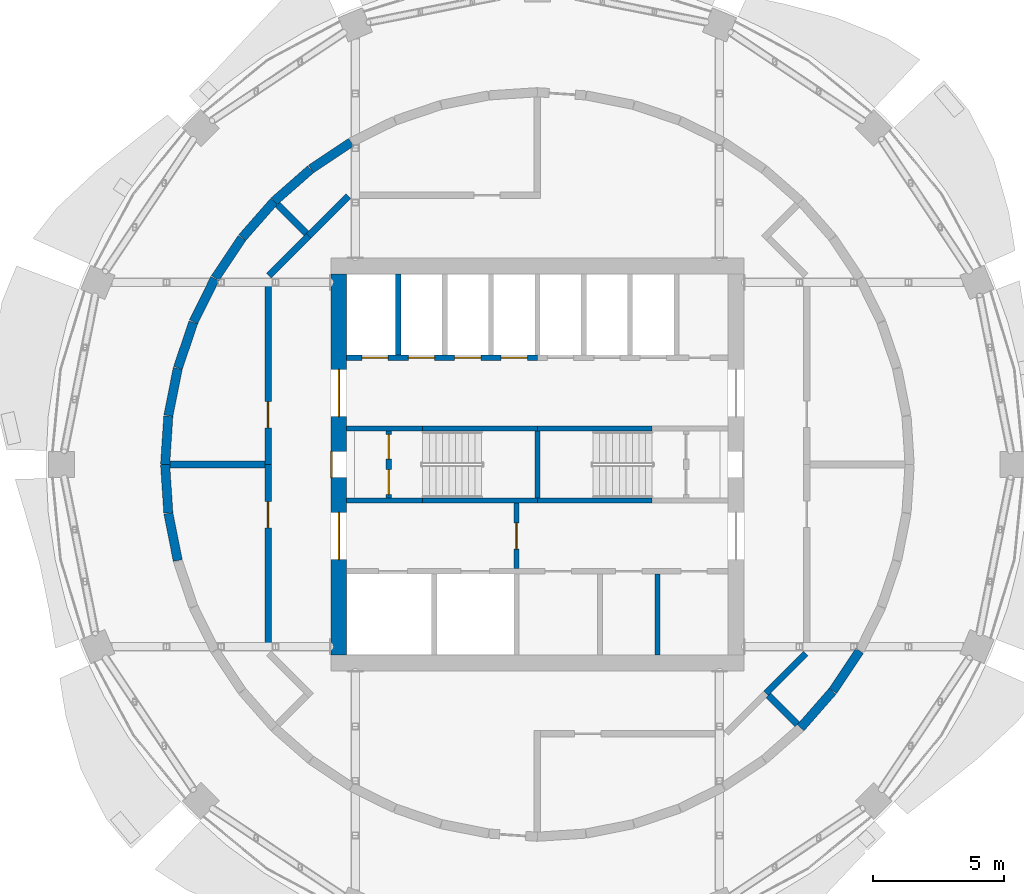
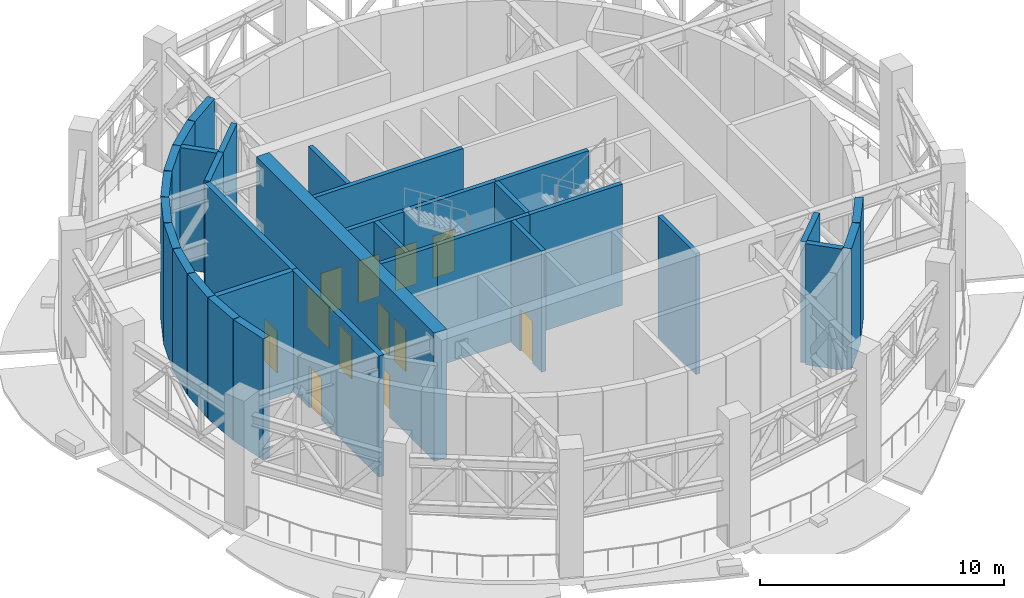
# One storey, part 8 of 14: 33 walls, 12 doors, 12 openings.
"""IFC4 building model written with IfcOpenShell, lengths in metres."""

import ifcopenshell
import ifcopenshell.guid

model = None  # the IFC model being written
_history = None  # IfcOwnerHistory: only IFC2X3 demands one
_inside = {}  # id of a spatial element -> (the spatial element, [elements in it])
_under = {}  # id of a project, library or spatial element -> (it, [spatial elements below it])
_declared = {}  # id of a project -> (the project, [libraries it declares])
_typed = {}  # id of a type object -> (the type object, [elements of that type])
_made_of = {}  # id of a material, layer set ... -> (it, [elements and type objects made of it])


def new_model(schema):
    """Start an empty IFC model of exactly this schema.

    Asked for "IFC4X3", IfcOpenShell would pick the latest addendum, in which some entities
    have other attributes; the version numbers below select the first issue.
    IFC2X3 requires an IfcOwnerHistory on every rooted entity: one is made here for all.
    """
    global model, _history
    if schema == "IFC4X3":
        model = ifcopenshell.file(schema_version=(4, 3, 0, 0))
    else:
        model = ifcopenshell.file(schema=schema)
    _inside.clear()
    _under.clear()
    _declared.clear()
    _typed.clear()
    _made_of.clear()
    _history = None
    if model.schema == "IFC2X3":
        org = make("IfcOrganization", Name="unknown")
        user = make(
            "IfcPersonAndOrganization",
            ThePerson=make("IfcPerson", FamilyName="unknown"),
            TheOrganization=org,
        )
        app = make(
            "IfcApplication",
            ApplicationDeveloper=org,
            Version="unknown",
            ApplicationFullName="unknown",
            ApplicationIdentifier="unknown",
        )
        _history = make(
            "IfcOwnerHistory",
            OwningUser=user,
            OwningApplication=app,
            ChangeAction="ADDED",
            CreationDate=0,
        )
    return model


def make(cls, **values):
    """One entity of the class cls with the attributes given. An attribute that is None is left unset."""
    return model.create_entity(
        cls, **{name: value for name, value in values.items() if value is not None}
    )


def rooted(cls, **values):
    """An entity with a GlobalId (a new one), such as an element, a storey or a relation."""
    return make(cls, GlobalId=ifcopenshell.guid.new(), OwnerHistory=_history, **values)


def si_unit(unit_type, name, prefix=None):
    """IfcSIUnit, for example si_unit("LENGTHUNIT", "METRE", prefix="MILLI")."""
    return make("IfcSIUnit", UnitType=unit_type, Prefix=prefix, Name=name)


def assignment(units):
    """IfcUnitAssignment: the units of a project."""
    return None if units is None else make("IfcUnitAssignment", Units=units)


def point(xyz):
    """IfcCartesianPoint."""
    return None if xyz is None else make("IfcCartesianPoint", Coordinates=xyz)


def direction(xyz):
    """IfcDirection."""
    return None if xyz is None else make("IfcDirection", DirectionRatios=xyz)


def frame(location, z_axis=None, x_axis=None):
    """IfcAxis2Placement3D, a coordinate frame: its origin and axes. An axis left out is left unset."""
    return make(
        "IfcAxis2Placement3D",
        Location=point(location),
        Axis=direction(z_axis),
        RefDirection=direction(x_axis),
    )


def frame_2d(location, x_axis=None):
    """IfcAxis2Placement2D, a coordinate frame in the plane: its origin and x axis."""
    return make(
        "IfcAxis2Placement2D", Location=point(location), RefDirection=direction(x_axis)
    )


def origin():
    """The frame at (0, 0, 0) with its axes left unset."""
    return frame((0.0, 0.0, 0.0))


def place(relative_to, where):
    """IfcLocalPlacement: puts the frame where relative to a parent placement (None: the world)."""
    return make(
        "IfcLocalPlacement", PlacementRelTo=relative_to, RelativePlacement=where
    )


def context(
    kind, dimensions, precision=None, world=None, true_north=None, identifier=None
):
    """IfcGeometricRepresentationContext, for example the 3D "Model" context."""
    return make(
        "IfcGeometricRepresentationContext",
        ContextIdentifier=identifier,
        ContextType=kind,
        CoordinateSpaceDimension=dimensions,
        Precision=precision,
        WorldCoordinateSystem=world,
        TrueNorth=true_north,
    )


def subcontext(parent, identifier, kind, view, scale=None):
    """IfcGeometricRepresentationSubContext, for example "Body" below "Model"."""
    return make(
        "IfcGeometricRepresentationSubContext",
        ContextIdentifier=identifier,
        ContextType=kind,
        ParentContext=parent,
        TargetScale=scale,
        TargetView=view,
    )


def project(units=None, contexts=None):
    """IfcProject with its units and contexts."""
    return rooted(
        "IfcProject",
        Name="project",
        RepresentationContexts=contexts,
        UnitsInContext=assignment(units),
    )


def spatial(cls, under=None, at=None, **own):
    """A site, building, storey or space (cls), placed at a placement, below another one or the project."""
    s = rooted(cls, ObjectPlacement=at, **own)
    if under is not None:
        _under.setdefault(under.id(), (under, []))[1].append(s)
    return s


def profile(cls, at=None, kind="AREA", **sizes):
    """A parametric profile (cls). Its sizes go by their IFC names, for example OverallWidth=200.0."""
    return make(cls, ProfileType=kind, Position=at, **sizes)


def rectangle(**sizes):
    """IfcRectangleProfileDef."""
    return profile("IfcRectangleProfileDef", **sizes)


def extrude(swept, where, along, depth):
    """IfcExtrudedAreaSolid: the profile swept, set in the frame where, extruded along a direction by depth."""
    return make(
        "IfcExtrudedAreaSolid",
        SweptArea=swept,
        Position=where,
        ExtrudedDirection=direction(along),
        Depth=depth,
    )


def shape(context_of_items, identifier, shape_type, items):
    """IfcShapeRepresentation: the items that make up one representation, for example the "Body"."""
    return make(
        "IfcShapeRepresentation",
        ContextOfItems=context_of_items,
        RepresentationIdentifier=identifier,
        RepresentationType=shape_type,
        Items=items,
    )


def material(Name=None, Category=None):
    """IfcMaterial."""
    return make("IfcMaterial", Name=Name, Category=Category)


def layer(
    of_material, thickness, ventilated=None, Name=None, Category=None, Priority=None
):
    """IfcMaterialLayer: one layer of a wall or slab, of a material (None: an air gap)."""
    return make(
        "IfcMaterialLayer",
        Material=of_material,
        LayerThickness=thickness,
        IsVentilated=ventilated,
        Name=Name,
        Category=Category,
        Priority=Priority,
    )


def layer_set(layers, Name=None):
    """IfcMaterialLayerSet."""
    return make("IfcMaterialLayerSet", MaterialLayers=layers, LayerSetName=Name)


def made_of(thing, what):
    """Note that an element or type object is made of a material, layer set ...; save() writes the relation."""
    if what is not None:
        _made_of.setdefault(what.id(), (what, []))[1].append(thing)
    return thing


def type_object(cls, material=None, **own):
    """A type object (cls), such as IfcWallType, which elements share."""
    return made_of(rooted(cls, **own), material)


def element(
    cls,
    number,
    at=None,
    inside=None,
    cuts=None,
    type_object=None,
    material=None,
    context=None,
    identifier="Body",
    shape_type=None,
    held_by="IfcProductDefinitionShape",
    body=None,
    shapes=None,
    **own,
):
    """One element of the class cls, such as IfcWall. Its Tag is "e" and its number.

    at: its placement. inside: the storey or other place that contains it. cuts: it is an
    opening in that element (IfcRelVoidsElement). A single representation is given by context,
    identifier, shape_type and body (its items); several are given by shapes. held_by: the class
    of the entity that holds the representations. save() writes the other relations.
    """
    e = rooted(cls, Tag="e%d" % number, ObjectPlacement=at, **own)
    if body is not None:
        shapes = [shape(context, identifier, shape_type, body)]
    if shapes is not None:
        e.Representation = make(held_by, Representations=shapes)
    if inside is not None:
        _inside.setdefault(inside.id(), (inside, []))[1].append(e)
    if cuts is not None:
        rooted(
            "IfcRelVoidsElement", RelatingBuildingElement=cuts, RelatedOpeningElement=e
        )
    if type_object is not None:
        _typed.setdefault(type_object.id(), (type_object, []))[1].append(e)
    return made_of(e, material)


def fill(opening, filler):
    """IfcRelFillsElement: the door or window that sits in an opening."""
    return rooted(
        "IfcRelFillsElement",
        RelatingOpeningElement=opening,
        RelatedBuildingElement=filler,
    )


def aggregate(whole, parts):
    """IfcRelAggregates: a whole, such as a stair, and the parts it consists of."""
    return rooted("IfcRelAggregates", RelatingObject=whole, RelatedObjects=parts)


def save(model, path):
    """Write the relations noted so far, then the file.

    IfcRelAggregates (storeys below a building ...), IfcRelContainedInSpatialStructure (elements
    in a storey), IfcRelDefinesByType, IfcRelAssociatesMaterial and IfcRelDeclares: one each for
    every whole, place, type object, material and project.
    """
    for whole, parts in _under.values():
        aggregate(whole, parts)
    for where, things in _inside.values():
        rooted(
            "IfcRelContainedInSpatialStructure",
            RelatedElements=things,
            RelatingStructure=where,
        )
    for kind, things in _typed.values():
        rooted("IfcRelDefinesByType", RelatedObjects=things, RelatingType=kind)
    for what, things in _made_of.values():
        rooted("IfcRelAssociatesMaterial", RelatedObjects=things, RelatingMaterial=what)
    for by, libraries in _declared.values():
        rooted("IfcRelDeclares", RelatingContext=by, RelatedDefinitions=libraries)
    model.write(path)


model = new_model("IFC4")

# Units and contexts
model_context = context("Model", 3, precision=1e-05, world=origin(), true_north=direction((0.0, 1.0)))
body_context = subcontext(model_context, "Body", "Model", "MODEL_VIEW")
ifc_project = project(units=[si_unit("LENGTHUNIT", "METRE"), si_unit("AREAUNIT", "SQUARE_METRE"), si_unit("VOLUMEUNIT", "CUBIC_METRE"), si_unit("PLANEANGLEUNIT", "RADIAN"), si_unit("MASSUNIT", "GRAM", prefix="KILO")], contexts=[model_context])

# Site, building, storey
site_placement = place(None, origin())
site = spatial("IfcSite", under=ifc_project, at=site_placement, CompositionType="ELEMENT")
building_placement = place(site_placement, origin())
building = spatial("IfcBuilding", under=site, at=building_placement, Name="Polderwave Tower", CompositionType="ELEMENT")
storey_placement = place(building_placement, frame((0.0, 0.0, 161.14990234375)))
storey = spatial("IfcBuildingStorey", under=building, at=storey_placement, Name="L43", CompositionType="ELEMENT", Elevation=161.14990234375)

# Wall, openings, doors
ifc_material_1 = material(Name="Concrete C60/75", Category="concrete")
ifc_layer_1 = layer(ifc_material_1, 0.60009765625)
ifc_layer_set_1 = layer_set([ifc_layer_1], Name="CORE WALL 600 C60/75")
wall_type_1 = type_object("IfcWallType", Name="CORE WALL 600 C60/75", PredefinedType="SHEAR", material=ifc_layer_set_1)
wall_1_placement = place(storey_placement, frame((-7.573974609375, -7.27392578125, 0.0), z_axis=(0.0, 0.0, 1.0), x_axis=(0.0, 1.0, 0.0)))
wall_1 = element("IfcWall", 1, at=wall_1_placement, inside=storey, type_object=wall_type_1, Name="ST-CORE-L43-W", PredefinedType="SHEAR", context=body_context, shape_type="SweptSolid", body=[
    extrude(rectangle(XDim=14.5478515625, YDim=0.60009765625, at=frame_2d((7.27392578125, 0.0))), origin(), (0.0, 0.0, 1.0), 6.400146484375),
])
opening_1_placement = place(wall_1_placement, frame((6.77392578125, 0.0, 0.0)))
opening_1 = element("IfcOpeningElement", 2, at=opening_1_placement, cuts=wall_1, Name="Opening L43-D19", PredefinedType="OPENING", context=body_context, shape_type="SweptSolid", body=[
    extrude(rectangle(XDim=1.0, YDim=2.10009765625, at=frame_2d((0.5, 1.050048828125))), frame((0.0, 0.31005859375, 0.0), z_axis=(0.0, -1.0, 0.0), x_axis=(1.0, 0.0, 0.0)), (0.0, 0.0, 1.0), 0.6201171875),
])
opening_2_placement = place(wall_1_placement, frame((3.6494140625, 0.0, 0.0)))
opening_2 = element("IfcOpeningElement", 3, at=opening_2_placement, cuts=wall_1, Name="Opening L43-D20", PredefinedType="OPENING", context=body_context, shape_type="SweptSolid", body=[
    extrude(rectangle(XDim=1.800048828125, YDim=2.10009765625, at=frame_2d((0.89990234375, 1.050048828125))), frame((0.0, 0.31005859375, 0.0), z_axis=(0.0, -1.0, 0.0), x_axis=(1.0, 0.0, 0.0)), (0.0, 0.0, 1.0), 0.6201171875),
])
opening_3_placement = place(wall_1_placement, frame((9.098388671875, 0.0, 0.0)))
opening_3 = element("IfcOpeningElement", 4, at=opening_3_placement, cuts=wall_1, Name="Opening L43-D21", PredefinedType="OPENING", context=body_context, shape_type="SweptSolid", body=[
    extrude(rectangle(XDim=1.800048828125, YDim=2.10009765625, at=frame_2d((0.89990234375, 1.050048828125))), frame((0.0, 0.31005859375, 0.0), z_axis=(0.0, -1.0, 0.0), x_axis=(1.0, 0.0, 0.0)), (0.0, 0.0, 1.0), 0.6201171875),
])
ifc_material_2 = material(Name="Steel fire door", Category="steel")
door_type_1 = type_object("IfcDoorType", Name="Lobby entry door pair 1800", OperationType="DOUBLE_DOOR_SINGLE_SWING", PredefinedType="DOOR", material=ifc_material_2)
door_1_placement = place(opening_2_placement, origin())
door_1 = element("IfcDoor", 5, at=door_1_placement, inside=storey, type_object=door_type_1, Name="Fire-fighting lobby entry door", OperationType="DOUBLE_DOOR_SINGLE_SWING", OverallHeight=2.10009765625, OverallWidth=1.800048828125, PredefinedType="DOOR", context=body_context, shape_type="SweptSolid", body=[
    extrude(rectangle(XDim=1.800048828125, YDim=2.10009765625, at=frame_2d((0.89990234375, 1.050048828125))), frame((0.0, 0.02490234375, 0.0), z_axis=(0.0, -1.0, 0.0), x_axis=(1.0, 0.0, 0.0)), (0.0, 0.0, 1.0), 0.050048828125),
])
fill(opening_2, door_1)
door_2_placement = place(opening_3_placement, origin())
door_2 = element("IfcDoor", 6, at=door_2_placement, inside=storey, type_object=door_type_1, Name="North lobby entry door", OperationType="DOUBLE_DOOR_SINGLE_SWING", OverallHeight=2.10009765625, OverallWidth=1.800048828125, PredefinedType="DOOR", context=body_context, shape_type="SweptSolid", body=[
    extrude(rectangle(XDim=1.800048828125, YDim=2.10009765625, at=frame_2d((0.89990234375, 1.050048828125))), frame((0.0, 0.02490234375, 0.0), z_axis=(0.0, -1.0, 0.0), x_axis=(1.0, 0.0, 0.0)), (0.0, 0.0, 1.0), 0.050048828125),
])
fill(opening_3, door_2)
door_type_2 = type_object("IfcDoorType", Name="Stair door 1000", OperationType="NOTDEFINED", PredefinedType="DOOR", material=ifc_material_2)
door_3_placement = place(opening_1_placement, origin())
door_3 = element("IfcDoor", 7, at=door_3_placement, inside=storey, type_object=door_type_2, Name="Stair A entry door", OperationType="SINGLE_SWING_RIGHT", OverallHeight=2.10009765625, OverallWidth=1.0, PredefinedType="DOOR", context=body_context, shape_type="SweptSolid", body=[
    extrude(rectangle(XDim=1.0, YDim=2.10009765625, at=frame_2d((0.5, 1.050048828125))), frame((0.0, 0.2998046875, 0.0), z_axis=(0.0, -1.0, 0.0), x_axis=(1.0, 0.0, 0.0)), (0.0, 0.0, 1.0), 0.050048828125),
])
fill(opening_1, door_3)

# Wall, opening, door
ifc_material_3 = material(Name="Gypsum board partition")
ifc_layer_2 = layer(ifc_material_3, 0.199951171875)
ifc_layer_set_2 = layer_set([ifc_layer_2], Name="Core room partition 200")
wall_type_2 = type_object("IfcWallType", Name="Core room partition 200", PredefinedType="PARTITIONING", material=ifc_layer_set_2)
wall_2_placement = place(storey_placement, frame((-0.800048828125, -3.97412109375, 0.0), z_axis=(0.0, 0.0, 1.0), x_axis=(0.0, 1.0, 0.0)))
wall_2 = element("IfcWall", 8, at=wall_2_placement, inside=storey, type_object=wall_type_2, Name="L43 fire-fighting lobby wall", PredefinedType="PARTITIONING", context=body_context, shape_type="SweptSolid", body=[
    extrude(rectangle(XDim=2.4990234375, YDim=0.199951171875, at=frame_2d((1.24951171875, 0.0))), origin(), (0.0, 0.0, 1.0), 6.050048828125),
])
opening_4_placement = place(wall_2_placement, frame((0.74951171875, 0.0, 0.0)))
opening_4 = element("IfcOpeningElement", 9, at=opening_4_placement, cuts=wall_2, Name="Opening L43-D14", PredefinedType="OPENING", context=body_context, shape_type="SweptSolid", body=[
    extrude(rectangle(XDim=1.0, YDim=2.10009765625, at=frame_2d((0.5, 1.050048828125))), frame((0.0, 0.10986328125, 0.0), z_axis=(0.0, -1.0, 0.0), x_axis=(1.0, 0.0, 0.0)), (0.0, 0.0, 1.0), 0.219970703125),
])
door_type_3 = type_object("IfcDoorType", Name="Lobby fire door 1000", OperationType="NOTDEFINED", PredefinedType="DOOR", material=ifc_material_2)
door_4_placement = place(opening_4_placement, frame((1.0, 0.0, 0.0), z_axis=(0.0, 0.0, 1.0), x_axis=(-1.0, 0.0, 0.0)))
door_4 = element("IfcDoor", 10, at=door_4_placement, inside=storey, type_object=door_type_3, Name="Fire-fighting lobby door", OperationType="SINGLE_SWING_LEFT", OverallHeight=2.10009765625, OverallWidth=1.0, PredefinedType="DOOR", context=body_context, shape_type="SweptSolid", body=[
    extrude(rectangle(XDim=1.0, YDim=2.10009765625, at=frame_2d((0.5, 1.050048828125))), frame((0.0, 0.02490234375, 0.0), z_axis=(0.0, -1.0, 0.0), x_axis=(1.0, 0.0, 0.0)), (0.0, 0.0, 1.0), 0.050048828125),
])
fill(opening_4, door_4)

# Wall
wall_3_placement = place(storey_placement, frame((4.5830078125, -7.27392578125, 0.0), z_axis=(0.0, 0.0, 1.0), x_axis=(0.0, 1.0, 0.0)))
element("IfcWall", 11, at=wall_3_placement, inside=storey, type_object=wall_type_2, Name="L43 room partition S2", PredefinedType="PARTITIONING", context=body_context, shape_type="SweptSolid", body=[
    extrude(rectangle(XDim=3.099853515625, YDim=0.199951171875, at=frame_2d((1.5498046875, 0.0))), origin(), (0.0, 0.0, 1.0), 6.050048828125),
])

# Wall, openings, doors
wall_4_placement = place(storey_placement, frame((-5.674072265625, -1.27490234375, 0.0), z_axis=(0.0, 0.0, 1.0), x_axis=(0.0, 1.0, 0.0)))
wall_4 = element("IfcWall", 12, at=wall_4_placement, inside=storey, type_object=wall_type_2, Name="L43 smoke lobby wall A", PredefinedType="PARTITIONING", context=body_context, shape_type="SweptSolid", body=[
    extrude(rectangle(XDim=2.5498046875, YDim=0.199951171875, at=frame_2d((1.27490234375, 0.0))), origin(), (0.0, 0.0, 1.0), 6.050048828125),
])
opening_5_placement = place(wall_4_placement, frame((0.125, 0.0, 0.0)))
opening_5 = element("IfcOpeningElement", 13, at=opening_5_placement, cuts=wall_4, Name="Opening L43-D10", PredefinedType="OPENING", context=body_context, shape_type="SweptSolid", body=[
    extrude(rectangle(XDim=0.949951171875, YDim=2.10009765625, at=frame_2d((0.47509765625, 1.050048828125))), frame((0.0, 0.10986328125, 0.0), z_axis=(0.0, -1.0, 0.0), x_axis=(1.0, 0.0, 0.0)), (0.0, 0.0, 1.0), 0.219970703125),
])
opening_6_placement = place(wall_4_placement, frame((1.47509765625, 0.0, 0.0)))
opening_6 = element("IfcOpeningElement", 14, at=opening_6_placement, cuts=wall_4, Name="Opening L43-D11", PredefinedType="OPENING", context=body_context, shape_type="SweptSolid", body=[
    extrude(rectangle(XDim=0.949951171875, YDim=2.10009765625, at=frame_2d((0.47509765625, 1.050048828125))), frame((0.0, 0.10986328125, 0.0), z_axis=(0.0, -1.0, 0.0), x_axis=(1.0, 0.0, 0.0)), (0.0, 0.0, 1.0), 0.219970703125),
])
door_type_4 = type_object("IfcDoorType", Name="Smoke lobby door 950", OperationType="NOTDEFINED", PredefinedType="DOOR", material=ifc_material_2)
door_5_placement = place(opening_5_placement, origin())
door_5 = element("IfcDoor", 15, at=door_5_placement, inside=storey, type_object=door_type_4, Name="Stair A smoke lobby inner door", OperationType="SINGLE_SWING_LEFT", OverallHeight=2.10009765625, OverallWidth=0.949951171875, PredefinedType="DOOR", context=body_context, shape_type="SweptSolid", body=[
    extrude(rectangle(XDim=0.949951171875, YDim=2.10009765625, at=frame_2d((0.47509765625, 1.050048828125))), frame((0.0, 0.02490234375, 0.0), z_axis=(0.0, -1.0, 0.0), x_axis=(1.0, 0.0, 0.0)), (0.0, 0.0, 1.0), 0.050048828125),
])
fill(opening_5, door_5)
door_6_placement = place(opening_6_placement, origin())
door_6 = element("IfcDoor", 16, at=door_6_placement, inside=storey, type_object=door_type_4, Name="Stair A smoke lobby inner door", OperationType="SINGLE_SWING_RIGHT", OverallHeight=2.10009765625, OverallWidth=0.949951171875, PredefinedType="DOOR", context=body_context, shape_type="SweptSolid", body=[
    extrude(rectangle(XDim=0.949951171875, YDim=2.10009765625, at=frame_2d((0.47509765625, 1.050048828125))), frame((0.0, 0.02490234375, 0.0), z_axis=(0.0, -1.0, 0.0), x_axis=(1.0, 0.0, 0.0)), (0.0, 0.0, 1.0), 0.050048828125),
])
fill(opening_6, door_6)

ifc_material_4 = material(Name="Concrete C50/60", Category="concrete")
ifc_layer_3 = layer(ifc_material_4, 0.199951171875)
ifc_layer_set_3 = layer_set([ifc_layer_3], Name="Core web wall 200")
wall_type_3 = type_object("IfcWallType", Name="Core web wall 200", PredefinedType="SHEAR", material=ifc_layer_set_3)
wall_5_placement = place(storey_placement, frame((-7.27392578125, 4.073974609375, 0.0), z_axis=(0.0, 0.0, 1.0), x_axis=(1.0, 0.0, 0.0)))
wall_5 = element("IfcWall", 17, at=wall_5_placement, inside=storey, type_object=wall_type_3, Name="L43 north front wall 1", PredefinedType="SHEAR", context=body_context, shape_type="SweptSolid", body=[
    extrude(rectangle(XDim=7.27392578125, YDim=0.199951171875, at=frame_2d((3.636962890625, 0.0))), origin(), (0.0, 0.0, 1.0), 6.050048828125),
])
opening_7_placement = place(wall_5_placement, frame((0.584228515625, 0.0, 0.0)))
opening_7 = element("IfcOpeningElement", 18, at=opening_7_placement, cuts=wall_5, Name="Opening L43-D03", PredefinedType="OPENING", context=body_context, shape_type="SweptSolid", body=[
    extrude(rectangle(XDim=1.0, YDim=2.10009765625, at=frame_2d((0.5, 1.050048828125))), frame((0.0, 0.10986328125, 0.0), z_axis=(0.0, -1.0, 0.0), x_axis=(1.0, 0.0, 0.0)), (0.0, 0.0, 1.0), 0.219970703125),
])
opening_8_placement = place(wall_5_placement, frame((2.352783203125, 0.0, 0.0)))
opening_8 = element("IfcOpeningElement", 19, at=opening_8_placement, cuts=wall_5, Name="Opening L43-D04", PredefinedType="OPENING", context=body_context, shape_type="SweptSolid", body=[
    extrude(rectangle(XDim=1.0, YDim=2.10009765625, at=frame_2d((0.5, 1.050048828125))), frame((0.0, 0.10986328125, 0.0), z_axis=(0.0, -1.0, 0.0), x_axis=(1.0, 0.0, 0.0)), (0.0, 0.0, 1.0), 0.219970703125),
])
opening_9_placement = place(wall_5_placement, frame((4.12109375, 0.0, 0.0)))
opening_9 = element("IfcOpeningElement", 20, at=opening_9_placement, cuts=wall_5, Name="Opening L43-D05", PredefinedType="OPENING", context=body_context, shape_type="SweptSolid", body=[
    extrude(rectangle(XDim=1.0, YDim=2.10009765625, at=frame_2d((0.5, 1.050048828125))), frame((0.0, 0.10986328125, 0.0), z_axis=(0.0, -1.0, 0.0), x_axis=(1.0, 0.0, 0.0)), (0.0, 0.0, 1.0), 0.219970703125),
])
opening_10_placement = place(wall_5_placement, frame((5.889892578125, 0.0, 0.0)))
opening_10 = element("IfcOpeningElement", 21, at=opening_10_placement, cuts=wall_5, Name="Opening L43-D06", PredefinedType="OPENING", context=body_context, shape_type="SweptSolid", body=[
    extrude(rectangle(XDim=1.0, YDim=2.10009765625, at=frame_2d((0.5, 1.050048828125))), frame((0.0, 0.10986328125, 0.0), z_axis=(0.0, -1.0, 0.0), x_axis=(1.0, 0.0, 0.0)), (0.0, 0.0, 1.0), 0.219970703125),
])
ifc_material_5 = material(Name="Stainless steel", Category="steel")
door_type_5 = type_object("IfcDoorType", Name="Lift landing door 1000", OperationType="DOUBLE_DOOR_SLIDING", PredefinedType="DOOR", material=ifc_material_5)
door_7_placement = place(opening_7_placement, frame((1.0, 0.0, 0.0), z_axis=(0.0, 0.0, 1.0), x_axis=(-1.0, 0.0, 0.0)))
door_7 = element("IfcDoor", 22, at=door_7_placement, inside=storey, type_object=door_type_5, Name="Lift HL1 landing door", OperationType="DOUBLE_DOOR_SLIDING", OverallHeight=2.10009765625, OverallWidth=1.0, PredefinedType="DOOR", context=body_context, shape_type="SweptSolid", body=[
    extrude(rectangle(XDim=1.0, YDim=2.10009765625, at=frame_2d((0.5, 1.050048828125))), frame((0.0, 0.02490234375, 0.0), z_axis=(0.0, -1.0, 0.0), x_axis=(1.0, 0.0, 0.0)), (0.0, 0.0, 1.0), 0.050048828125),
])
fill(opening_7, door_7)
door_8_placement = place(opening_8_placement, frame((1.0, 0.0, 0.0), z_axis=(0.0, 0.0, 1.0), x_axis=(-1.0, 0.0, 0.0)))
door_8 = element("IfcDoor", 23, at=door_8_placement, inside=storey, type_object=door_type_5, Name="Lift HL2 landing door", OperationType="DOUBLE_DOOR_SLIDING", OverallHeight=2.10009765625, OverallWidth=1.0, PredefinedType="DOOR", context=body_context, shape_type="SweptSolid", body=[
    extrude(rectangle(XDim=1.0, YDim=2.10009765625, at=frame_2d((0.5, 1.050048828125))), frame((0.0, 0.02490234375, 0.0), z_axis=(0.0, -1.0, 0.0), x_axis=(1.0, 0.0, 0.0)), (0.0, 0.0, 1.0), 0.050048828125),
])
fill(opening_8, door_8)
door_9_placement = place(opening_9_placement, frame((1.0, 0.0, 0.0), z_axis=(0.0, 0.0, 1.0), x_axis=(-1.0, 0.0, 0.0)))
door_9 = element("IfcDoor", 24, at=door_9_placement, inside=storey, type_object=door_type_5, Name="Lift HL3 landing door", OperationType="DOUBLE_DOOR_SLIDING", OverallHeight=2.10009765625, OverallWidth=1.0, PredefinedType="DOOR", context=body_context, shape_type="SweptSolid", body=[
    extrude(rectangle(XDim=1.0, YDim=2.10009765625, at=frame_2d((0.5, 1.050048828125))), frame((0.0, 0.02490234375, 0.0), z_axis=(0.0, -1.0, 0.0), x_axis=(1.0, 0.0, 0.0)), (0.0, 0.0, 1.0), 0.050048828125),
])
fill(opening_9, door_9)
door_10_placement = place(opening_10_placement, frame((1.0, 0.0, 0.0), z_axis=(0.0, 0.0, 1.0), x_axis=(-1.0, 0.0, 0.0)))
door_10 = element("IfcDoor", 25, at=door_10_placement, inside=storey, type_object=door_type_5, Name="Lift HL4 landing door", OperationType="DOUBLE_DOOR_SLIDING", OverallHeight=2.10009765625, OverallWidth=1.0, PredefinedType="DOOR", context=body_context, shape_type="SweptSolid", body=[
    extrude(rectangle(XDim=1.0, YDim=2.10009765625, at=frame_2d((0.5, 1.050048828125))), frame((0.0, 0.02490234375, 0.0), z_axis=(0.0, -1.0, 0.0), x_axis=(1.0, 0.0, 0.0)), (0.0, 0.0, 1.0), 0.050048828125),
])
fill(opening_10, door_10)

# Walls
wall_6_placement = place(storey_placement, frame((-7.27392578125, -1.375, 0.0), z_axis=(0.0, 0.0, 1.0), x_axis=(1.0, 0.0, 0.0)))
element("IfcWall", 26, at=wall_6_placement, inside=storey, type_object=wall_type_3, Name="L43 south stair wall 1", PredefinedType="SHEAR", context=body_context, shape_type="SweptSolid", body=[
    extrude(rectangle(XDim=2.89990234375, YDim=0.199951171875, at=frame_2d((1.449951171875, 0.0))), origin(), (0.0, 0.0, 1.0), 6.050048828125),
])
for number, where, z_axis, x_axis, name in (
    (27, (-4.3740234375, -1.375, 0.0), (0.0, 0.0, 1.0), (1.0, 0.0, 0.0), "L43 south stair wall 2"),
    (28, (0.0, -1.375, 0.0), (0.0, 0.0, 1.0), (1.0, 0.0, 0.0), "L43 south stair wall 3"),
):
    element("IfcWall", number, at=place(storey_placement, frame(where, z_axis=z_axis, x_axis=x_axis)), inside=storey, type_object=wall_type_3, Name=name, PredefinedType="SHEAR", context=body_context, shape_type="SweptSolid", body=[
        extrude(rectangle(XDim=4.3740234375, YDim=0.199951171875, at=frame_2d((2.18701171875, 0.0))), origin(), (0.0, 0.0, 1.0), 6.050048828125),
    ])
wall_7_placement = place(storey_placement, frame((-7.27392578125, 1.375, 0.0), z_axis=(0.0, 0.0, 1.0), x_axis=(1.0, 0.0, 0.0)))
element("IfcWall", 29, at=wall_7_placement, inside=storey, type_object=wall_type_3, Name="L43 north stair wall 1", PredefinedType="SHEAR", context=body_context, shape_type="SweptSolid", body=[
    extrude(rectangle(XDim=2.89990234375, YDim=0.199951171875, at=frame_2d((1.449951171875, 0.0))), origin(), (0.0, 0.0, 1.0), 6.050048828125),
])
for number, where, z_axis, x_axis, name in (
    (30, (-4.3740234375, 1.375, 0.0), (0.0, 0.0, 1.0), (1.0, 0.0, 0.0), "L43 north stair wall 2"),
    (31, (0.0, 1.375, 0.0), (0.0, 0.0, 1.0), (1.0, 0.0, 0.0), "L43 north stair wall 3"),
):
    element("IfcWall", number, at=place(storey_placement, frame(where, z_axis=z_axis, x_axis=x_axis)), inside=storey, type_object=wall_type_3, Name=name, PredefinedType="SHEAR", context=body_context, shape_type="SweptSolid", body=[
        extrude(rectangle(XDim=4.3740234375, YDim=0.199951171875, at=frame_2d((2.18701171875, 0.0))), origin(), (0.0, 0.0, 1.0), 6.050048828125),
    ])
wall_8_placement = place(storey_placement, frame((0.0, -1.27490234375, 0.0), z_axis=(0.0, 0.0, 1.0), x_axis=(0.0, 1.0, 0.0)))
element("IfcWall", 32, at=wall_8_placement, inside=storey, type_object=wall_type_3, Name="L43 wall between the stairs", PredefinedType="SHEAR", context=body_context, shape_type="SweptSolid", body=[
    extrude(rectangle(XDim=2.5498046875, YDim=0.199951171875, at=frame_2d((1.27490234375, 0.0))), origin(), (0.0, 0.0, 1.0), 6.050048828125),
])
ifc_material_6 = material(Name="Insulated metal rainscreen on fire-resisting board")
ifc_layer_4 = layer(ifc_material_6, 0.35009765625)
ifc_layer_set_4 = layer_set([ifc_layer_4], Name="Plant enclosure wall 350 mm EI 120")
wall_type_4 = type_object("IfcWallType", Name="Plant enclosure wall 350 mm EI 120", PredefinedType="PARTITIONING", material=ifc_layer_set_4)
wall_9_placement = place(storey_placement, frame((-10.041015625, 10.041015625, 0.0), z_axis=(0.0, 0.0, 1.0), x_axis=(0.751879877471, 0.65930012123, 0.0)))
element("IfcWall", 33, at=wall_9_placement, inside=storey, type_object=wall_type_4, Name="IN-L43-W028", PredefinedType="PARTITIONING", context=body_context, shape_type="SweptSolid", body=[
    extrude(rectangle(XDim=1.845947265625, YDim=0.35009765625, at=frame_2d((0.9228515625, 0.0))), origin(), (0.0, 0.0, 1.0), 6.050048828125),
])
wall_10_placement = place(storey_placement, frame((-8.635009765625, 11.27197265625, 0.0), z_axis=(0.0, 0.0, 1.0), x_axis=(0.831456095994, 0.555590461072, 0.0)))
element("IfcWall", 34, at=wall_10_placement, inside=storey, type_object=wall_type_4, Name="IN-L43-W029", PredefinedType="PARTITIONING", context=body_context, shape_type="SweptSolid", body=[
    extrude(rectangle(XDim=1.834716796875, YDim=0.35009765625, at=frame_2d((0.91748046875, 0.0))), origin(), (0.0, 0.0, 1.0), 6.050048828125),
])
wall_11_placement = place(storey_placement, frame((-14.199951171875, 0.0, 0.0), z_axis=(0.0, 0.0, 1.0), x_axis=(0.065333936019, 0.997863455992, 0.0)))
element("IfcWall", 35, at=wall_11_placement, inside=storey, type_object=wall_type_4, Name="IN-L43-W035", PredefinedType="PARTITIONING", context=body_context, shape_type="SweptSolid", body=[
    extrude(rectangle(XDim=1.845947265625, YDim=0.35009765625, at=frame_2d((0.9228515625, 0.0))), origin(), (0.0, 0.0, 1.0), 6.050048828125),
])
wall_12_placement = place(storey_placement, frame((-14.076416015625, 1.86474609375, 0.0), z_axis=(0.0, 0.0, 1.0), x_axis=(0.195220359262, 0.980759405425, 0.0)))
element("IfcWall", 36, at=wall_12_placement, inside=storey, type_object=wall_type_4, Name="IN-L43-W036", PredefinedType="PARTITIONING", context=body_context, shape_type="SweptSolid", body=[
    extrude(rectangle(XDim=1.834716796875, YDim=0.35009765625, at=frame_2d((0.91748046875, 0.0))), origin(), (0.0, 0.0, 1.0), 6.050048828125),
])
for number, where, z_axis, x_axis, name in (
    (37, (-13.71240234375, 3.68603515625, 0.0), (0.0, 0.0, 1.0), (0.321413562404, 0.946938921949, 0.0), "IN-L43-W037"),
    (38, (-13.114013671875, 5.4443359375, 0.0), (0.0, 0.0, 1.0), (0.442255821409, 0.896888949887, 0.0), "IN-L43-W038"),
):
    element("IfcWall", number, at=place(storey_placement, frame(where, z_axis=z_axis, x_axis=x_axis)), inside=storey, type_object=wall_type_4, Name=name, PredefinedType="PARTITIONING", context=body_context, shape_type="SweptSolid", body=[
        extrude(rectangle(XDim=1.83447265625, YDim=0.35009765625, at=frame_2d((0.917236328125, 0.0))), origin(), (0.0, 0.0, 1.0), 6.050048828125),
    ])
wall_13_placement = place(storey_placement, frame((-12.291259765625, 7.109619140625, 0.0), z_axis=(0.0, 0.0, 1.0), x_axis=(0.555590461072, 0.831456095994, 0.0)))
element("IfcWall", 39, at=wall_13_placement, inside=storey, type_object=wall_type_4, Name="IN-L43-W039", PredefinedType="PARTITIONING", context=body_context, shape_type="SweptSolid", body=[
    extrude(rectangle(XDim=1.834716796875, YDim=0.35009765625, at=frame_2d((0.91748046875, 0.0))), origin(), (0.0, 0.0, 1.0), 6.050048828125),
])
for number, where, z_axis, x_axis, name in (
    (40, (-11.258056640625, 8.653076171875, 0.0), (0.0, 0.0, 1.0), (0.65930012123, 0.751879877471, 0.0), "IN-L43-W040"),
    (41, (-14.079345703125, -1.842041015625, 0.0), (0.0, 0.0, 1.0), (-0.065333936019, 0.997863455992, 0.0), "IN-L43-W042"),
):
    element("IfcWall", number, at=place(storey_placement, frame(where, z_axis=z_axis, x_axis=x_axis)), inside=storey, type_object=wall_type_4, Name=name, PredefinedType="PARTITIONING", context=body_context, shape_type="SweptSolid", body=[
        extrude(rectangle(XDim=1.845947265625, YDim=0.35009765625, at=frame_2d((0.9228515625, 0.0))), origin(), (0.0, 0.0, 1.0), 6.050048828125),
    ])
wall_14_placement = place(storey_placement, frame((-13.71826171875, -3.6640625, 0.0), z_axis=(0.0, 0.0, 1.0), x_axis=(-0.195220359262, 0.980759405425, 0.0)))
element("IfcWall", 42, at=wall_14_placement, inside=storey, type_object=wall_type_4, Name="IN-L43-W043", PredefinedType="PARTITIONING", context=body_context, shape_type="SweptSolid", body=[
    extrude(rectangle(XDim=1.834716796875, YDim=0.35009765625, at=frame_2d((0.91748046875, 0.0))), origin(), (0.0, 0.0, 1.0), 6.050048828125),
])
wall_15_placement = place(storey_placement, frame((11.258056640625, -8.653076171875, 0.0), z_axis=(0.0, 0.0, 1.0), x_axis=(-0.65930012123, -0.751879877471, 0.0)))
element("IfcWall", 43, at=wall_15_placement, inside=storey, type_object=wall_type_4, Name="IN-L43-W063", PredefinedType="PARTITIONING", context=body_context, shape_type="SweptSolid", body=[
    extrude(rectangle(XDim=1.845947265625, YDim=0.35009765625, at=frame_2d((0.9228515625, 0.0))), origin(), (0.0, 0.0, 1.0), 6.050048828125),
])
wall_16_placement = place(storey_placement, frame((12.291259765625, -7.109619140625, 0.0), z_axis=(0.0, 0.0, 1.0), x_axis=(-0.555590461072, -0.831456095994, 0.0)))
element("IfcWall", 44, at=wall_16_placement, inside=storey, type_object=wall_type_4, Name="IN-L43-W064", PredefinedType="PARTITIONING", context=body_context, shape_type="SweptSolid", body=[
    extrude(rectangle(XDim=1.834716796875, YDim=0.35009765625, at=frame_2d((0.91748046875, 0.0))), origin(), (0.0, 0.0, 1.0), 6.050048828125),
])
ifc_material_7 = material(Name="Fire-resisting board on steel studs, mineral wool", Category="steel")
ifc_layer_5 = layer(ifc_material_7, 0.25)
ifc_layer_set_5 = layer_set([ifc_layer_5], Name="Plant room wall 250 mm EI 120")
wall_type_5 = type_object("IfcWallType", Name="Plant room wall 250 mm EI 120", PredefinedType="PARTITIONING", material=ifc_layer_set_5)
for number, where, z_axis, x_axis, name in (
    (45, (10.2373046875, -7.207763671875, 0.0), (0.0, 0.0, 1.0), (-0.707163762272, -0.707049795509, 0.0), "IN-L43-W003"),
    (46, (-8.722412109375, 8.722412109375, 0.0), (0.0, 0.0, 1.0), (0.707049795509, 0.707163762272, 0.0), "IN-L43-W005"),
):
    element("IfcWall", number, at=place(storey_placement, frame(where, z_axis=z_axis, x_axis=x_axis)), inside=storey, type_object=wall_type_5, Name=name, PredefinedType="PARTITIONING", context=body_context, shape_type="SweptSolid", body=[
        extrude(rectangle(XDim=2.14208984375, YDim=0.25, at=frame_2d((1.071044921875, 0.0))), origin(), (0.0, 0.0, 1.0), 6.050048828125),
    ])

# Wall, opening, door
wall_17_placement = place(storey_placement, frame((-10.27392578125, 0.0, 0.0), z_axis=(0.0, 0.0, 1.0), x_axis=(0.0, 1.0, 0.0)))
wall_17 = element("IfcWall", 47, at=wall_17_placement, inside=storey, type_object=wall_type_5, Name="IN-L43-W007", PredefinedType="PARTITIONING", context=body_context, shape_type="SweptSolid", body=[
    extrude(rectangle(XDim=7.119384765625, YDim=0.25, at=frame_2d((3.5595703125, 0.0))), origin(), (0.0, 0.0, 1.0), 6.050048828125),
])
opening_11_placement = place(wall_17_placement, frame((1.39990234375, 0.0, 0.0)))
opening_11 = element("IfcOpeningElement", 48, at=opening_11_placement, cuts=wall_17, Name="Opening L43-D53", PredefinedType="OPENING", context=body_context, shape_type="SweptSolid", body=[
    extrude(rectangle(XDim=1.0, YDim=2.10009765625, at=frame_2d((0.5, 1.050048828125))), frame((0.0, 0.135009765625, 0.0), z_axis=(0.0, -1.0, 0.0), x_axis=(1.0, 0.0, 0.0)), (0.0, 0.0, 1.0), 0.27001953125),
])
ifc_material_8 = material(Name="Steel plant door leaf", Category="steel")
door_type_6 = type_object("IfcDoorType", Name="Plant door FD60 1000 x 2100 steel", OperationType="NOTDEFINED", PredefinedType="DOOR", material=ifc_material_8)
door_11_placement = place(opening_11_placement, origin())
door_11 = element("IfcDoor", 49, at=door_11_placement, inside=storey, type_object=door_type_6, Name="Door L43-D53", OperationType="SINGLE_SWING_LEFT", OverallHeight=2.10009765625, OverallWidth=1.0, PredefinedType="DOOR", context=body_context, shape_type="SweptSolid", body=[
    extrude(rectangle(XDim=1.0, YDim=2.10009765625, at=frame_2d((0.5, 1.050048828125))), frame((0.0, 0.02490234375, 0.0), z_axis=(0.0, -1.0, 0.0), x_axis=(1.0, 0.0, 0.0)), (0.0, 0.0, 1.0), 0.050048828125),
])
fill(opening_11, door_11)

# Wall
wall_18_placement = place(storey_placement, frame((-10.2373046875, 7.207763671875, 0.0), z_axis=(0.0, 0.0, 1.0), x_axis=(0.707163762272, 0.707049795509, 0.0)))
element("IfcWall", 50, at=wall_18_placement, inside=storey, type_object=wall_type_5, Name="IN-L43-W008", PredefinedType="PARTITIONING", context=body_context, shape_type="SweptSolid", body=[
    extrude(rectangle(XDim=2.14208984375, YDim=0.25, at=frame_2d((1.071044921875, 0.0))), origin(), (0.0, 0.0, 1.0), 6.050048828125),
])

# Wall, opening, door
wall_19_placement = place(storey_placement, frame((-10.27392578125, -7.119384765625, 0.0), z_axis=(0.0, 0.0, 1.0), x_axis=(0.0, 1.0, 0.0)))
wall_19 = element("IfcWall", 51, at=wall_19_placement, inside=storey, type_object=wall_type_5, Name="IN-L43-W009", PredefinedType="PARTITIONING", context=body_context, shape_type="SweptSolid", body=[
    extrude(rectangle(XDim=7.119384765625, YDim=0.25, at=frame_2d((3.5595703125, 0.0))), origin(), (0.0, 0.0, 1.0), 6.050048828125),
])
opening_12_placement = place(wall_19_placement, frame((4.699951171875, 0.0, 0.0)))
opening_12 = element("IfcOpeningElement", 52, at=opening_12_placement, cuts=wall_19, Name="Opening L43-D54", PredefinedType="OPENING", context=body_context, shape_type="SweptSolid", body=[
    extrude(rectangle(XDim=1.0, YDim=2.10009765625, at=frame_2d((0.5, 1.050048828125))), frame((0.0, 0.135009765625, 0.0), z_axis=(0.0, -1.0, 0.0), x_axis=(1.0, 0.0, 0.0)), (0.0, 0.0, 1.0), 0.27001953125),
])
door_12_placement = place(opening_12_placement, origin())
door_12 = element("IfcDoor", 53, at=door_12_placement, inside=storey, type_object=door_type_6, Name="Door L43-D54", OperationType="SINGLE_SWING_RIGHT", OverallHeight=2.10009765625, OverallWidth=1.0, PredefinedType="DOOR", context=body_context, shape_type="SweptSolid", body=[
    extrude(rectangle(XDim=1.0, YDim=2.10009765625, at=frame_2d((0.5, 1.050048828125))), frame((0.0, 0.02490234375, 0.0), z_axis=(0.0, -1.0, 0.0), x_axis=(1.0, 0.0, 0.0)), (0.0, 0.0, 1.0), 0.050048828125),
])
fill(opening_12, door_12)

# Walls
wall_20_placement = place(storey_placement, frame((-8.810791015625, 8.810791015625, 0.0), z_axis=(0.0, 0.0, 1.0), x_axis=(-0.707106781187, 0.707106781187, 0.0)))
element("IfcWall", 54, at=wall_20_placement, inside=storey, type_object=wall_type_5, Name="IN-L43-W034", PredefinedType="PARTITIONING", context=body_context, shape_type="SweptSolid", body=[
    extrude(rectangle(XDim=1.55615234375, YDim=0.25, at=frame_2d((0.778076171875, 0.0))), origin(), (0.0, 0.0, 1.0), 6.050048828125),
])
wall_21_placement = place(storey_placement, frame((-10.39892578125, 0.0, 0.0), z_axis=(0.0, 0.0, 1.0), x_axis=(-1.0, 0.0, 0.0)))
element("IfcWall", 55, at=wall_21_placement, inside=storey, type_object=wall_type_5, Name="IN-L43-W041", PredefinedType="PARTITIONING", context=body_context, shape_type="SweptSolid", body=[
    extrude(rectangle(XDim=3.617431640625, YDim=0.25, at=frame_2d((1.80859375, 0.0))), origin(), (0.0, 0.0, 1.0), 6.050048828125),
])
wall_22_placement = place(storey_placement, frame((8.810791015625, -8.810791015625, 0.0), z_axis=(0.0, 0.0, 1.0), x_axis=(0.707106781187, -0.707106781187, 0.0)))
element("IfcWall", 56, at=wall_22_placement, inside=storey, type_object=wall_type_5, Name="IN-L43-W062", PredefinedType="PARTITIONING", context=body_context, shape_type="SweptSolid", body=[
    extrude(rectangle(XDim=1.55615234375, YDim=0.25, at=frame_2d((0.778076171875, 0.0))), origin(), (0.0, 0.0, 1.0), 6.050048828125),
])
ifc_material_9 = material(Name="Gypsum shaft wall system")
ifc_layer_6 = layer(ifc_material_9, 0.199951171875)
ifc_layer_set_6 = layer_set([ifc_layer_6], Name="Shaft wall 200")
wall_type_6 = type_object("IfcWallType", Name="Shaft wall 200", PredefinedType="PARTITIONING", material=ifc_layer_set_6)
wall_23_placement = place(storey_placement, frame((-5.305419921875, 4.174072265625, 0.0), z_axis=(0.0, 0.0, 1.0), x_axis=(0.0, 1.0, 0.0)))
element("IfcWall", 57, at=wall_23_placement, inside=storey, type_object=wall_type_6, Name="L43 lift shaft wall N1", PredefinedType="PARTITIONING", context=body_context, shape_type="SweptSolid", body=[
    extrude(rectangle(XDim=3.099853515625, YDim=0.199951171875, at=frame_2d((1.5498046875, 0.0))), origin(), (0.0, 0.0, 1.0), 6.050048828125),
])

save(model, "model.ifc")
